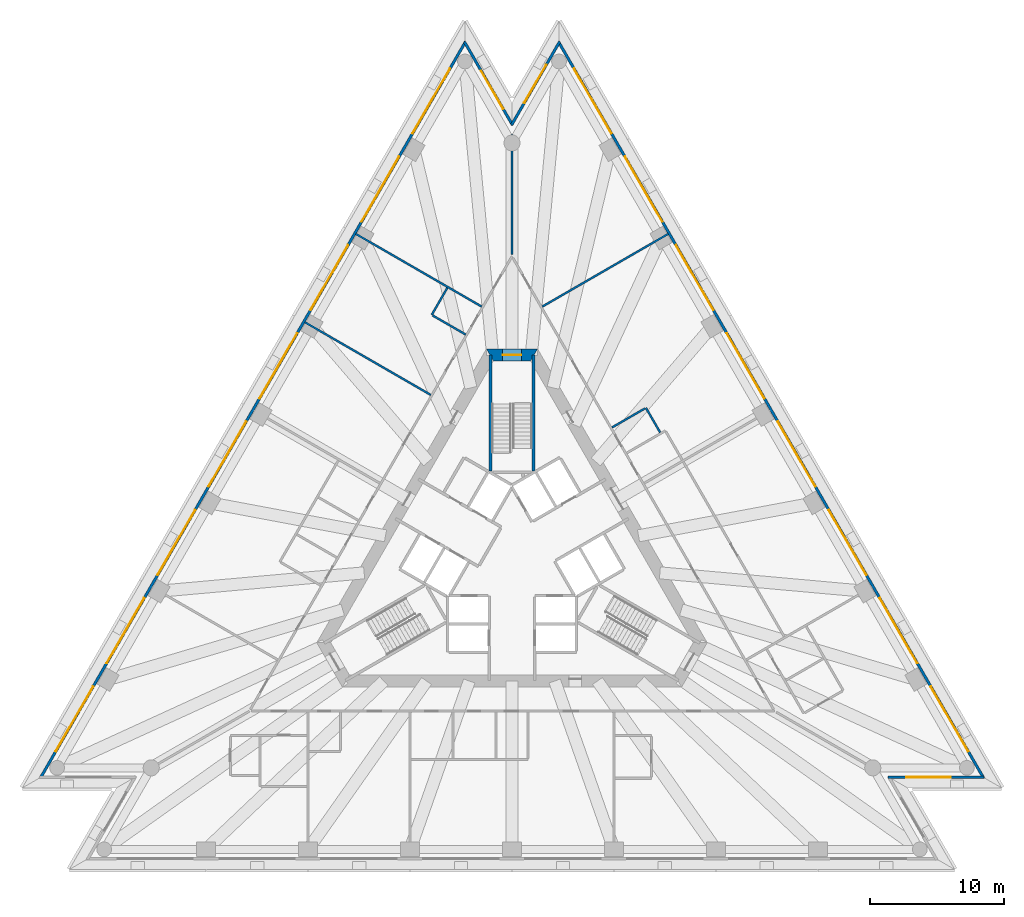
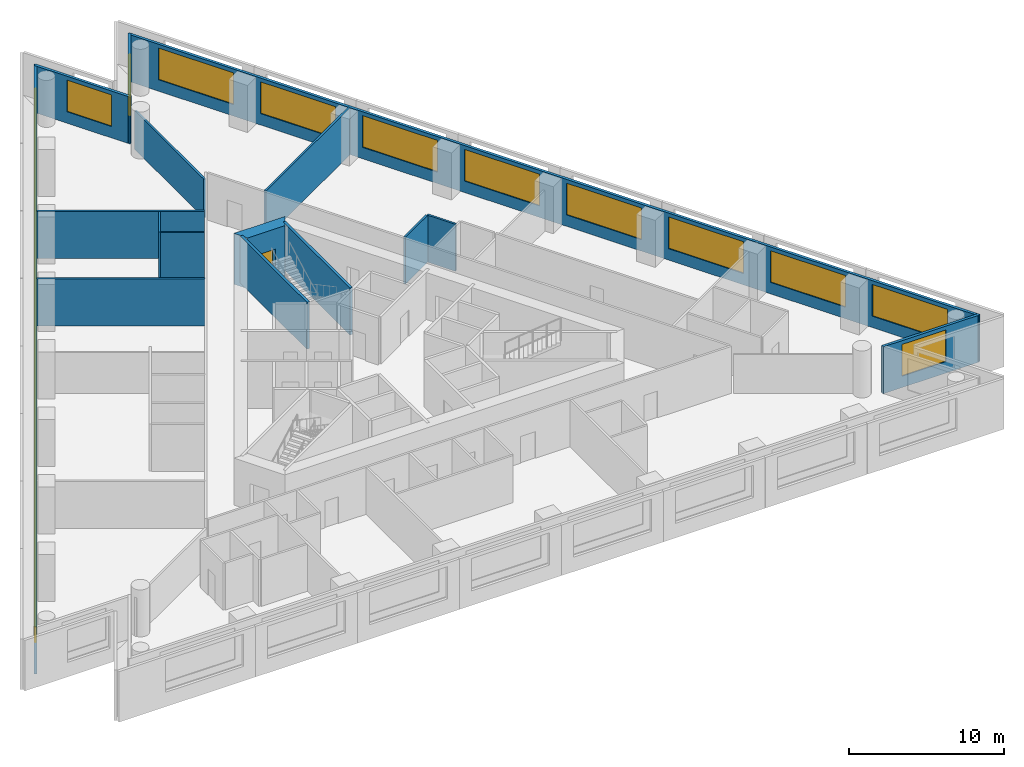
# One storey, part 8 of 11: 19 windows, 16 walls, 1 door, 20 openings.
"""IFC4 building model written with IfcOpenShell, lengths in metres."""

from ifc_helpers import new_model, si_unit, direction, frame, frame_2d, origin, place, context, subcontext, project, spatial, polyline, rectangle, outline, extrude, material, layer, layer_set, layer_usage, type_object, element, fill, save


model = new_model("IFC4")

# Units and contexts
model_context = context("Model", 3, precision=1e-05, world=origin(), true_north=direction((0.0, 1.0)))
body_context = subcontext(model_context, "Body", "Model", "MODEL_VIEW")
ifc_project = project(units=[si_unit("LENGTHUNIT", "METRE"), si_unit("AREAUNIT", "SQUARE_METRE"), si_unit("VOLUMEUNIT", "CUBIC_METRE"), si_unit("PLANEANGLEUNIT", "RADIAN"), si_unit("MASSUNIT", "GRAM", prefix="KILO")], contexts=[model_context])

# Site, building, storey
site_placement = place(None, origin())
site = spatial("IfcSite", under=ifc_project, at=site_placement, CompositionType="ELEMENT")
building_placement = place(site_placement, origin())
building = spatial("IfcBuilding", under=site, at=building_placement, Name="Triada Interchange Tower", CompositionType="ELEMENT")
storey_placement = place(building_placement, frame((0.0, 0.0, 35.300048828125)))
storey = spatial("IfcBuildingStorey", under=building, at=storey_placement, Name="L06", CompositionType="ELEMENT", Elevation=35.300048828125)

# Walls
ifc_material_1 = material(Name="Concrete C30/37", Category="concrete")
ifc_layer_1 = layer(ifc_material_1, 0.199951171875)
ifc_layer_set_1 = layer_set([ifc_layer_1], Name="CORE WALL 200 REI 240")
wall_type_1 = type_object("IfcWallType", Name="CORE WALL 200 REI 240", PredefinedType="SOLIDWALL", material=ifc_layer_set_1)
for number, where, z_axis, x_axis, name in (
    (1, (1.60009765625, 6.614990234375, 0.0), (0.0, 0.0, 1.0), (0.0, 1.0, 0.0), "Wall L06 87"),
    (2, (-1.60009765625, 6.614990234375, 0.0), (0.0, 0.0, 1.0), (0.0, 1.0, 0.0), "Wall L06 89"),
):
    element("IfcWall", number, at=place(storey_placement, frame(where, z_axis=z_axis, x_axis=x_axis)), inside=storey, type_object=wall_type_1, Name=name, PredefinedType="SOLIDWALL", context=body_context, shape_type="SweptSolid", body=[
        extrude(rectangle(XDim=8.614990234375, YDim=0.199951171875, at=frame_2d((4.3076171875, 0.0))), origin(), (0.0, 0.0, 1.0), 3.699951171875),
    ])

# Wall, opening, door
ifc_material_2 = material(Name="Concrete C70/85", Category="concrete")
ifc_layer_2 = layer(ifc_material_2, 0.89990234375)
ifc_layer_set_2 = layer_set([ifc_layer_2], Name="Core wall A 900")
wall_type_2 = type_object("IfcWallType", Name="Core wall A 900", PredefinedType="SHEAR", material=ifc_layer_set_2)
wall_1_placement = place(storey_placement, frame((1.64501953125, 15.25, -0.300048828125), z_axis=(0.0, 0.0, 1.0), x_axis=(-1.0, 0.0, 0.0)))
wall_1 = element("IfcWall", 3, at=wall_1_placement, inside=storey, type_object=wall_type_2, Name="Core wall WA01 L06", PredefinedType="SHEAR", context=body_context, shape_type="SweptSolid", body=[
    extrude(outline(polyline([(-0.260009765625, -0.449951171875), (1.64501953125, -0.449951171875), (3.550048828125, -0.449951171875), (3.031005859375, 0.449951171875), (1.64501953125, 0.449951171875), (0.259033203125, 0.449951171875), (-0.260009765625, -0.449951171875)])), origin(), (0.0, 0.0, 1.0), 4.0),
])
opening_1_placement = place(wall_1_placement, frame((0.945068359375, 0.0, 0.300048828125)))
opening_1 = element("IfcOpeningElement", 4, at=opening_1_placement, cuts=wall_1, Name="Opening D06-41", PredefinedType="OPENING", context=body_context, shape_type="SweptSolid", body=[
    extrude(rectangle(XDim=1.39990234375, YDim=2.10009765625, at=frame_2d((0.699951171875, 1.050048828125))), frame((0.0, 0.4599609375, 0.0), z_axis=(0.0, -1.0, 0.0), x_axis=(1.0, 0.0, 0.0)), (0.0, 0.0, 1.0), 0.919921875),
])
ifc_material_3 = material(Name="Steel S235 door leaf", Category="steel")
door_type = type_object("IfcDoorType", Name="STAIR DOOR 1400 EI2 90-C5S200", OperationType="DOUBLE_DOOR_SINGLE_SWING", PredefinedType="DOOR", material=ifc_material_3)
door_placement = place(opening_1_placement, origin())
door = element("IfcDoor", 5, at=door_placement, inside=storey, type_object=door_type, Name="Door D06-41 L06", OperationType="DOUBLE_DOOR_SINGLE_SWING", OverallHeight=2.10009765625, OverallWidth=1.39990234375, PredefinedType="DOOR", context=body_context, shape_type="SweptSolid", body=[
    extrude(rectangle(XDim=1.39990234375, YDim=2.10009765625, at=frame_2d((0.699951171875, 1.050048828125))), frame((0.0, 0.02490234375, 0.0), z_axis=(0.0, -1.0, 0.0), x_axis=(1.0, 0.0, 0.0)), (0.0, 0.0, 1.0), 0.050048828125),
])
fill(opening_1, door)

# Wall, openings, windows
ifc_material_4 = material(Name="Cement board")
ifc_layer_3 = layer(ifc_material_4, 0.02001953125, Name="Cement board cladding")
ifc_material_5 = material(Name="Sheathing board")
ifc_layer_4 = layer(ifc_material_5, 0.014892578125, Name="Sheathing board")
ifc_material_6 = material(Name="Mineral wool")
ifc_layer_5 = layer(ifc_material_6, 0.14990234375, Name="Mineral wool between steel studs")
ifc_material_7 = material(Name="Gypsum board")
ifc_layer_6 = layer(ifc_material_7, 0.014892578125, Name="Plasterboard lining")
ifc_layer_set_3 = layer_set([ifc_layer_3, ifc_layer_4, ifc_layer_5, ifc_layer_6], Name="External wall 200")
ifc_layer_usage = layer_usage(ifc_layer_set_3, "AXIS2", "POSITIVE", -0.10009765625)
wall_type_3 = type_object("IfcWallType", Name="External wall 200", PredefinedType="ELEMENTEDWALL", material=ifc_layer_set_3)
wall_2_placement = place(storey_placement, frame((-3.4619140625, 38.60302734375, 0.0), z_axis=(0.0, 0.0, 1.0), x_axis=(-0.500012207976, -0.866018355391, 0.0)))
wall_2 = element("IfcWall", 6, at=wall_2_placement, inside=storey, type_object=wall_type_3, material=ifc_layer_usage, Name="External wall L06 NW", PredefinedType="ELEMENTEDWALL", context=body_context, shape_type="SweptSolid", body=[
    extrude(rectangle(XDim=63.380859375, YDim=0.199951171875, at=frame_2d((31.6904296875, 0.0))), origin(), (0.0, 0.0, 1.0), 3.699951171875),
])
opening_2_placement = place(wall_2_placement, frame((2.302001953125, 0.0, 0.89990234375)))
opening_2 = element("IfcOpeningElement", 7, at=opening_2_placement, cuts=wall_2, Name="Opening WA01", PredefinedType="OPENING", context=body_context, shape_type="SweptSolid", body=[
    extrude(rectangle(XDim=5.60009765625, YDim=2.5, at=frame_2d((2.800048828125, 1.25))), frame((0.0, 0.10986328125, 0.0), z_axis=(0.0, -1.0, 0.0), x_axis=(1.0, 0.0, 0.0)), (0.0, 0.0, 1.0), 0.219970703125),
])
opening_3_placement = place(wall_2_placement, frame((9.902099609375, 0.0, 0.89990234375)))
opening_3 = element("IfcOpeningElement", 8, at=opening_3_placement, cuts=wall_2, Name="Opening WA02", PredefinedType="OPENING", context=body_context, shape_type="SweptSolid", body=[
    extrude(rectangle(XDim=5.60009765625, YDim=2.5, at=frame_2d((2.800048828125, 1.25))), frame((0.0, 0.10986328125, 0.0), z_axis=(0.0, -1.0, 0.0), x_axis=(1.0, 0.0, 0.0)), (0.0, 0.0, 1.0), 0.219970703125),
])
opening_4_placement = place(wall_2_placement, frame((17.5009765625, 0.0, 0.89990234375)))
opening_4 = element("IfcOpeningElement", 9, at=opening_4_placement, cuts=wall_2, Name="Opening WA03", PredefinedType="OPENING", context=body_context, shape_type="SweptSolid", body=[
    extrude(rectangle(XDim=5.60009765625, YDim=2.5, at=frame_2d((2.800048828125, 1.25))), frame((0.0, 0.10986328125, 0.0), z_axis=(0.0, -1.0, 0.0), x_axis=(1.0, 0.0, 0.0)), (0.0, 0.0, 1.0), 0.219970703125),
])
opening_5_placement = place(wall_2_placement, frame((25.10009765625, 0.0, 0.89990234375)))
opening_5 = element("IfcOpeningElement", 10, at=opening_5_placement, cuts=wall_2, Name="Opening WA04", PredefinedType="OPENING", context=body_context, shape_type="SweptSolid", body=[
    extrude(rectangle(XDim=5.60009765625, YDim=2.5, at=frame_2d((2.800048828125, 1.25))), frame((0.0, 0.10986328125, 0.0), z_axis=(0.0, -1.0, 0.0), x_axis=(1.0, 0.0, 0.0)), (0.0, 0.0, 1.0), 0.219970703125),
])
opening_6_placement = place(wall_2_placement, frame((32.699951171875, 0.0, 0.89990234375)))
opening_6 = element("IfcOpeningElement", 11, at=opening_6_placement, cuts=wall_2, Name="Opening WA05", PredefinedType="OPENING", context=body_context, shape_type="SweptSolid", body=[
    extrude(rectangle(XDim=5.60009765625, YDim=2.5, at=frame_2d((2.800048828125, 1.25))), frame((0.0, 0.10986328125, 0.0), z_axis=(0.0, -1.0, 0.0), x_axis=(1.0, 0.0, 0.0)), (0.0, 0.0, 1.0), 0.219970703125),
])
opening_7_placement = place(wall_2_placement, frame((40.299072265625, 0.0, 0.89990234375)))
opening_7 = element("IfcOpeningElement", 12, at=opening_7_placement, cuts=wall_2, Name="Opening WA06", PredefinedType="OPENING", context=body_context, shape_type="SweptSolid", body=[
    extrude(rectangle(XDim=5.60009765625, YDim=2.5, at=frame_2d((2.800048828125, 1.25))), frame((0.0, 0.10986328125, 0.0), z_axis=(0.0, -1.0, 0.0), x_axis=(1.0, 0.0, 0.0)), (0.0, 0.0, 1.0), 0.219970703125),
])
opening_8_placement = place(wall_2_placement, frame((47.89892578125, 0.0, 0.89990234375)))
opening_8 = element("IfcOpeningElement", 13, at=opening_8_placement, cuts=wall_2, Name="Opening WA07", PredefinedType="OPENING", context=body_context, shape_type="SweptSolid", body=[
    extrude(rectangle(XDim=5.60009765625, YDim=2.5, at=frame_2d((2.800048828125, 1.25))), frame((0.0, 0.10986328125, 0.0), z_axis=(0.0, -1.0, 0.0), x_axis=(1.0, 0.0, 0.0)), (0.0, 0.0, 1.0), 0.219970703125),
])
opening_9_placement = place(wall_2_placement, frame((55.498046875, 0.0, 0.89990234375)))
opening_9 = element("IfcOpeningElement", 14, at=opening_9_placement, cuts=wall_2, Name="Opening WA08", PredefinedType="OPENING", context=body_context, shape_type="SweptSolid", body=[
    extrude(rectangle(XDim=5.60009765625, YDim=2.5, at=frame_2d((2.800048828125, 1.25))), frame((0.0, 0.10986328125, 0.0), z_axis=(0.0, -1.0, 0.0), x_axis=(1.0, 0.0, 0.0)), (0.0, 0.0, 1.0), 0.219970703125),
])
ifc_material_8 = material(Name="Double glazed aluminium window", Category="aluminium")
window_type_1 = type_object("IfcWindowType", Name="Ribbon window A face", PartitioningType="SINGLE_PANEL", PredefinedType="WINDOW", material=ifc_material_8)
window_1_placement = place(opening_2_placement, origin())
window_1 = element("IfcWindow", 15, at=window_1_placement, inside=storey, type_object=window_type_1, Name="Window L06 NW 1", OverallHeight=2.5, OverallWidth=5.60009765625, PartitioningType="SINGLE_PANEL", PredefinedType="WINDOW", context=body_context, shape_type="SweptSolid", body=[
    extrude(rectangle(XDim=5.60009765625, YDim=2.5, at=frame_2d((2.800048828125, 1.25))), frame((0.0, 0.030029296875, 0.0), z_axis=(0.0, -1.0, 0.0), x_axis=(1.0, 0.0, 0.0)), (0.0, 0.0, 1.0), 0.06005859375),
])
fill(opening_2, window_1)
window_2_placement = place(opening_3_placement, origin())
window_2 = element("IfcWindow", 16, at=window_2_placement, inside=storey, type_object=window_type_1, Name="Window L06 NW 2", OverallHeight=2.5, OverallWidth=5.60009765625, PartitioningType="SINGLE_PANEL", PredefinedType="WINDOW", context=body_context, shape_type="SweptSolid", body=[
    extrude(rectangle(XDim=5.60009765625, YDim=2.5, at=frame_2d((2.800048828125, 1.25))), frame((0.0, 0.030029296875, 0.0), z_axis=(0.0, -1.0, 0.0), x_axis=(1.0, 0.0, 0.0)), (0.0, 0.0, 1.0), 0.06005859375),
])
fill(opening_3, window_2)
window_3_placement = place(opening_4_placement, origin())
window_3 = element("IfcWindow", 17, at=window_3_placement, inside=storey, type_object=window_type_1, Name="Window L06 NW 3", OverallHeight=2.5, OverallWidth=5.60009765625, PartitioningType="SINGLE_PANEL", PredefinedType="WINDOW", context=body_context, shape_type="SweptSolid", body=[
    extrude(rectangle(XDim=5.60009765625, YDim=2.5, at=frame_2d((2.800048828125, 1.25))), frame((0.0, 0.030029296875, 0.0), z_axis=(0.0, -1.0, 0.0), x_axis=(1.0, 0.0, 0.0)), (0.0, 0.0, 1.0), 0.06005859375),
])
fill(opening_4, window_3)
window_4_placement = place(opening_5_placement, origin())
window_4 = element("IfcWindow", 18, at=window_4_placement, inside=storey, type_object=window_type_1, Name="Window L06 NW 4", OverallHeight=2.5, OverallWidth=5.60009765625, PartitioningType="SINGLE_PANEL", PredefinedType="WINDOW", context=body_context, shape_type="SweptSolid", body=[
    extrude(rectangle(XDim=5.60009765625, YDim=2.5, at=frame_2d((2.800048828125, 1.25))), frame((0.0, 0.030029296875, 0.0), z_axis=(0.0, -1.0, 0.0), x_axis=(1.0, 0.0, 0.0)), (0.0, 0.0, 1.0), 0.06005859375),
])
fill(opening_5, window_4)
window_5_placement = place(opening_6_placement, origin())
window_5 = element("IfcWindow", 19, at=window_5_placement, inside=storey, type_object=window_type_1, Name="Window L06 NW 5", OverallHeight=2.5, OverallWidth=5.60009765625, PartitioningType="SINGLE_PANEL", PredefinedType="WINDOW", context=body_context, shape_type="SweptSolid", body=[
    extrude(rectangle(XDim=5.60009765625, YDim=2.5, at=frame_2d((2.800048828125, 1.25))), frame((0.0, 0.030029296875, 0.0), z_axis=(0.0, -1.0, 0.0), x_axis=(1.0, 0.0, 0.0)), (0.0, 0.0, 1.0), 0.06005859375),
])
fill(opening_6, window_5)
window_6_placement = place(opening_7_placement, origin())
window_6 = element("IfcWindow", 20, at=window_6_placement, inside=storey, type_object=window_type_1, Name="Window L06 NW 6", OverallHeight=2.5, OverallWidth=5.60009765625, PartitioningType="SINGLE_PANEL", PredefinedType="WINDOW", context=body_context, shape_type="SweptSolid", body=[
    extrude(rectangle(XDim=5.60009765625, YDim=2.5, at=frame_2d((2.800048828125, 1.25))), frame((0.0, 0.030029296875, 0.0), z_axis=(0.0, -1.0, 0.0), x_axis=(1.0, 0.0, 0.0)), (0.0, 0.0, 1.0), 0.06005859375),
])
fill(opening_7, window_6)
window_7_placement = place(opening_8_placement, origin())
window_7 = element("IfcWindow", 21, at=window_7_placement, inside=storey, type_object=window_type_1, Name="Window L06 NW 7", OverallHeight=2.5, OverallWidth=5.60009765625, PartitioningType="SINGLE_PANEL", PredefinedType="WINDOW", context=body_context, shape_type="SweptSolid", body=[
    extrude(rectangle(XDim=5.60009765625, YDim=2.5, at=frame_2d((2.800048828125, 1.25))), frame((0.0, 0.030029296875, 0.0), z_axis=(0.0, -1.0, 0.0), x_axis=(1.0, 0.0, 0.0)), (0.0, 0.0, 1.0), 0.06005859375),
])
fill(opening_8, window_7)
window_8_placement = place(opening_9_placement, origin())
window_8 = element("IfcWindow", 22, at=window_8_placement, inside=storey, type_object=window_type_1, Name="Window L06 NW 8", OverallHeight=2.5, OverallWidth=5.60009765625, PartitioningType="SINGLE_PANEL", PredefinedType="WINDOW", context=body_context, shape_type="SweptSolid", body=[
    extrude(rectangle(XDim=5.60009765625, YDim=2.5, at=frame_2d((2.800048828125, 1.25))), frame((0.0, 0.030029296875, 0.0), z_axis=(0.0, -1.0, 0.0), x_axis=(1.0, 0.0, 0.0)), (0.0, 0.0, 1.0), 0.06005859375),
])
fill(opening_9, window_8)

# Wall, opening, window
wall_3_placement = place(storey_placement, frame((28.012939453125, -16.22509765625, 0.0), z_axis=(0.0, 0.0, 1.0), x_axis=(1.0, 0.0, 0.0)))
wall_3 = element("IfcWall", 23, at=wall_3_placement, inside=storey, type_object=wall_type_3, material=ifc_layer_usage, Name="External wall L06 SE-2", PredefinedType="ELEMENTEDWALL", context=body_context, shape_type="SweptSolid", body=[
    extrude(rectangle(XDim=7.175048828125, YDim=0.199951171875, at=frame_2d((3.58740234375, 0.0))), origin(), (0.0, 0.0, 1.0), 3.699951171875),
])
opening_10_placement = place(wall_3_placement, frame((1.389892578125, 0.0, 0.89990234375)))
opening_10 = element("IfcOpeningElement", 24, at=opening_10_placement, cuts=wall_3, Name="Opening WA20", PredefinedType="OPENING", context=body_context, shape_type="SweptSolid", body=[
    extrude(rectangle(XDim=3.300048828125, YDim=2.5, at=frame_2d((1.64990234375, 1.25))), frame((0.0, 0.10986328125, 0.0), z_axis=(0.0, -1.0, 0.0), x_axis=(1.0, 0.0, 0.0)), (0.0, 0.0, 1.0), 0.219970703125),
])
window_type_2 = type_object("IfcWindowType", Name="Ribbon window A pocket", PartitioningType="SINGLE_PANEL", PredefinedType="WINDOW", material=ifc_material_8)
window_9_placement = place(opening_10_placement, origin())
window_9 = element("IfcWindow", 25, at=window_9_placement, inside=storey, type_object=window_type_2, Name="Window L06 SE-2 1", OverallHeight=2.5, OverallWidth=3.300048828125, PartitioningType="SINGLE_PANEL", PredefinedType="WINDOW", context=body_context, shape_type="SweptSolid", body=[
    extrude(rectangle(XDim=3.300048828125, YDim=2.5, at=frame_2d((1.64990234375, 1.25))), frame((0.0, 0.030029296875, 0.0), z_axis=(0.0, -1.0, 0.0), x_axis=(1.0, 0.0, 0.0)), (0.0, 0.0, 1.0), 0.06005859375),
])
fill(opening_10, window_9)

# Wall, openings, windows
wall_4_placement = place(storey_placement, frame((35.1630859375, -16.302978515625, 0.0), z_axis=(0.0, 0.0, 1.0), x_axis=(-0.500012207976, 0.866018355391, 0.0)))
wall_4 = element("IfcWall", 26, at=wall_4_placement, inside=storey, type_object=wall_type_3, material=ifc_layer_usage, Name="External wall L06 NE", PredefinedType="ELEMENTEDWALL", context=body_context, shape_type="SweptSolid", body=[
    extrude(rectangle(XDim=63.380859375, YDim=0.199951171875, at=frame_2d((31.6904296875, 0.0))), origin(), (0.0, 0.0, 1.0), 3.699951171875),
])
opening_11_placement = place(wall_4_placement, frame((2.302001953125, 0.0, 0.89990234375)))
opening_11 = element("IfcOpeningElement", 27, at=opening_11_placement, cuts=wall_4, Name="Opening WA21", PredefinedType="OPENING", context=body_context, shape_type="SweptSolid", body=[
    extrude(rectangle(XDim=5.60009765625, YDim=2.5, at=frame_2d((2.800048828125, 1.25))), frame((0.0, 0.10986328125, 0.0), z_axis=(0.0, -1.0, 0.0), x_axis=(1.0, 0.0, 0.0)), (0.0, 0.0, 1.0), 0.219970703125),
])
opening_12_placement = place(wall_4_placement, frame((9.902099609375, 0.0, 0.89990234375)))
opening_12 = element("IfcOpeningElement", 28, at=opening_12_placement, cuts=wall_4, Name="Opening WA22", PredefinedType="OPENING", context=body_context, shape_type="SweptSolid", body=[
    extrude(rectangle(XDim=5.60009765625, YDim=2.5, at=frame_2d((2.800048828125, 1.25))), frame((0.0, 0.10986328125, 0.0), z_axis=(0.0, -1.0, 0.0), x_axis=(1.0, 0.0, 0.0)), (0.0, 0.0, 1.0), 0.219970703125),
])
opening_13_placement = place(wall_4_placement, frame((17.5009765625, 0.0, 0.89990234375)))
opening_13 = element("IfcOpeningElement", 29, at=opening_13_placement, cuts=wall_4, Name="Opening WA23", PredefinedType="OPENING", context=body_context, shape_type="SweptSolid", body=[
    extrude(rectangle(XDim=5.60009765625, YDim=2.5, at=frame_2d((2.800048828125, 1.25))), frame((0.0, 0.10986328125, 0.0), z_axis=(0.0, -1.0, 0.0), x_axis=(1.0, 0.0, 0.0)), (0.0, 0.0, 1.0), 0.219970703125),
])
opening_14_placement = place(wall_4_placement, frame((25.10107421875, 0.0, 0.89990234375)))
opening_14 = element("IfcOpeningElement", 30, at=opening_14_placement, cuts=wall_4, Name="Opening WA24", PredefinedType="OPENING", context=body_context, shape_type="SweptSolid", body=[
    extrude(rectangle(XDim=5.60009765625, YDim=2.5, at=frame_2d((2.800048828125, 1.25))), frame((0.0, 0.10986328125, 0.0), z_axis=(0.0, -1.0, 0.0), x_axis=(1.0, 0.0, 0.0)), (0.0, 0.0, 1.0), 0.219970703125),
])
opening_15_placement = place(wall_4_placement, frame((32.699951171875, 0.0, 0.89990234375)))
opening_15 = element("IfcOpeningElement", 31, at=opening_15_placement, cuts=wall_4, Name="Opening WA25", PredefinedType="OPENING", context=body_context, shape_type="SweptSolid", body=[
    extrude(rectangle(XDim=5.60009765625, YDim=2.5, at=frame_2d((2.800048828125, 1.25))), frame((0.0, 0.10986328125, 0.0), z_axis=(0.0, -1.0, 0.0), x_axis=(1.0, 0.0, 0.0)), (0.0, 0.0, 1.0), 0.219970703125),
])
opening_16_placement = place(wall_4_placement, frame((40.299072265625, 0.0, 0.89990234375)))
opening_16 = element("IfcOpeningElement", 32, at=opening_16_placement, cuts=wall_4, Name="Opening WA26", PredefinedType="OPENING", context=body_context, shape_type="SweptSolid", body=[
    extrude(rectangle(XDim=5.60009765625, YDim=2.5, at=frame_2d((2.800048828125, 1.25))), frame((0.0, 0.10986328125, 0.0), z_axis=(0.0, -1.0, 0.0), x_axis=(1.0, 0.0, 0.0)), (0.0, 0.0, 1.0), 0.219970703125),
])
opening_17_placement = place(wall_4_placement, frame((47.89892578125, 0.0, 0.89990234375)))
opening_17 = element("IfcOpeningElement", 33, at=opening_17_placement, cuts=wall_4, Name="Opening WA27", PredefinedType="OPENING", context=body_context, shape_type="SweptSolid", body=[
    extrude(rectangle(XDim=5.60009765625, YDim=2.5, at=frame_2d((2.800048828125, 1.25))), frame((0.0, 0.10986328125, 0.0), z_axis=(0.0, -1.0, 0.0), x_axis=(1.0, 0.0, 0.0)), (0.0, 0.0, 1.0), 0.219970703125),
])
opening_18_placement = place(wall_4_placement, frame((55.498046875, 0.0, 0.89990234375)))
opening_18 = element("IfcOpeningElement", 34, at=opening_18_placement, cuts=wall_4, Name="Opening WA28", PredefinedType="OPENING", context=body_context, shape_type="SweptSolid", body=[
    extrude(rectangle(XDim=5.60009765625, YDim=2.5, at=frame_2d((2.800048828125, 1.25))), frame((0.0, 0.10986328125, 0.0), z_axis=(0.0, -1.0, 0.0), x_axis=(1.0, 0.0, 0.0)), (0.0, 0.0, 1.0), 0.219970703125),
])
window_10_placement = place(opening_11_placement, origin())
window_10 = element("IfcWindow", 35, at=window_10_placement, inside=storey, type_object=window_type_1, Name="Window L06 NE 1", OverallHeight=2.5, OverallWidth=5.60009765625, PartitioningType="SINGLE_PANEL", PredefinedType="WINDOW", context=body_context, shape_type="SweptSolid", body=[
    extrude(rectangle(XDim=5.60009765625, YDim=2.5, at=frame_2d((2.800048828125, 1.25))), frame((0.0, 0.030029296875, 0.0), z_axis=(0.0, -1.0, 0.0), x_axis=(1.0, 0.0, 0.0)), (0.0, 0.0, 1.0), 0.06005859375),
])
fill(opening_11, window_10)
window_11_placement = place(opening_12_placement, origin())
window_11 = element("IfcWindow", 36, at=window_11_placement, inside=storey, type_object=window_type_1, Name="Window L06 NE 2", OverallHeight=2.5, OverallWidth=5.60009765625, PartitioningType="SINGLE_PANEL", PredefinedType="WINDOW", context=body_context, shape_type="SweptSolid", body=[
    extrude(rectangle(XDim=5.60009765625, YDim=2.5, at=frame_2d((2.800048828125, 1.25))), frame((0.0, 0.030029296875, 0.0), z_axis=(0.0, -1.0, 0.0), x_axis=(1.0, 0.0, 0.0)), (0.0, 0.0, 1.0), 0.06005859375),
])
fill(opening_12, window_11)
window_12_placement = place(opening_13_placement, origin())
window_12 = element("IfcWindow", 37, at=window_12_placement, inside=storey, type_object=window_type_1, Name="Window L06 NE 3", OverallHeight=2.5, OverallWidth=5.60009765625, PartitioningType="SINGLE_PANEL", PredefinedType="WINDOW", context=body_context, shape_type="SweptSolid", body=[
    extrude(rectangle(XDim=5.60009765625, YDim=2.5, at=frame_2d((2.800048828125, 1.25))), frame((0.0, 0.030029296875, 0.0), z_axis=(0.0, -1.0, 0.0), x_axis=(1.0, 0.0, 0.0)), (0.0, 0.0, 1.0), 0.06005859375),
])
fill(opening_13, window_12)
window_13_placement = place(opening_14_placement, origin())
window_13 = element("IfcWindow", 38, at=window_13_placement, inside=storey, type_object=window_type_1, Name="Window L06 NE 4", OverallHeight=2.5, OverallWidth=5.60009765625, PartitioningType="SINGLE_PANEL", PredefinedType="WINDOW", context=body_context, shape_type="SweptSolid", body=[
    extrude(rectangle(XDim=5.60009765625, YDim=2.5, at=frame_2d((2.800048828125, 1.25))), frame((0.0, 0.030029296875, 0.0), z_axis=(0.0, -1.0, 0.0), x_axis=(1.0, 0.0, 0.0)), (0.0, 0.0, 1.0), 0.06005859375),
])
fill(opening_14, window_13)
window_14_placement = place(opening_15_placement, origin())
window_14 = element("IfcWindow", 39, at=window_14_placement, inside=storey, type_object=window_type_1, Name="Window L06 NE 5", OverallHeight=2.5, OverallWidth=5.60009765625, PartitioningType="SINGLE_PANEL", PredefinedType="WINDOW", context=body_context, shape_type="SweptSolid", body=[
    extrude(rectangle(XDim=5.60009765625, YDim=2.5, at=frame_2d((2.800048828125, 1.25))), frame((0.0, 0.030029296875, 0.0), z_axis=(0.0, -1.0, 0.0), x_axis=(1.0, 0.0, 0.0)), (0.0, 0.0, 1.0), 0.06005859375),
])
fill(opening_15, window_14)
window_15_placement = place(opening_16_placement, origin())
window_15 = element("IfcWindow", 40, at=window_15_placement, inside=storey, type_object=window_type_1, Name="Window L06 NE 6", OverallHeight=2.5, OverallWidth=5.60009765625, PartitioningType="SINGLE_PANEL", PredefinedType="WINDOW", context=body_context, shape_type="SweptSolid", body=[
    extrude(rectangle(XDim=5.60009765625, YDim=2.5, at=frame_2d((2.800048828125, 1.25))), frame((0.0, 0.030029296875, 0.0), z_axis=(0.0, -1.0, 0.0), x_axis=(1.0, 0.0, 0.0)), (0.0, 0.0, 1.0), 0.06005859375),
])
fill(opening_16, window_15)
window_16_placement = place(opening_17_placement, origin())
window_16 = element("IfcWindow", 41, at=window_16_placement, inside=storey, type_object=window_type_1, Name="Window L06 NE 7", OverallHeight=2.5, OverallWidth=5.60009765625, PartitioningType="SINGLE_PANEL", PredefinedType="WINDOW", context=body_context, shape_type="SweptSolid", body=[
    extrude(rectangle(XDim=5.60009765625, YDim=2.5, at=frame_2d((2.800048828125, 1.25))), frame((0.0, 0.030029296875, 0.0), z_axis=(0.0, -1.0, 0.0), x_axis=(1.0, 0.0, 0.0)), (0.0, 0.0, 1.0), 0.06005859375),
])
fill(opening_17, window_16)
window_17_placement = place(opening_18_placement, origin())
window_17 = element("IfcWindow", 42, at=window_17_placement, inside=storey, type_object=window_type_1, Name="Window L06 NE 8", OverallHeight=2.5, OverallWidth=5.60009765625, PartitioningType="SINGLE_PANEL", PredefinedType="WINDOW", context=body_context, shape_type="SweptSolid", body=[
    extrude(rectangle(XDim=5.60009765625, YDim=2.5, at=frame_2d((2.800048828125, 1.25))), frame((0.0, 0.030029296875, 0.0), z_axis=(0.0, -1.0, 0.0), x_axis=(1.0, 0.0, 0.0)), (0.0, 0.0, 1.0), 0.06005859375),
])
fill(opening_18, window_17)

# Wall, opening, window
wall_5_placement = place(storey_placement, frame((3.552001953125, 38.60302734375, 0.0), z_axis=(0.0, 0.0, 1.0), x_axis=(-0.499915874128, -0.866073968431, 0.0)))
wall_5 = element("IfcWall", 43, at=wall_5_placement, inside=storey, type_object=wall_type_3, material=ifc_layer_usage, Name="External wall L06 N-1", PredefinedType="ELEMENTEDWALL", context=body_context, shape_type="SweptSolid", body=[
    extrude(rectangle(XDim=7.175048828125, YDim=0.199951171875, at=frame_2d((3.58740234375, 0.0))), origin(), (0.0, 0.0, 1.0), 3.699951171875),
])
opening_19_placement = place(wall_5_placement, frame((1.989990234375, 0.0, 0.89990234375)))
opening_19 = element("IfcOpeningElement", 44, at=opening_19_placement, cuts=wall_5, Name="Opening WA29", PredefinedType="OPENING", context=body_context, shape_type="SweptSolid", body=[
    extrude(rectangle(XDim=3.300048828125, YDim=2.5, at=frame_2d((1.64990234375, 1.25))), frame((0.0, 0.10986328125, 0.0), z_axis=(0.0, -1.0, 0.0), x_axis=(1.0, 0.0, 0.0)), (0.0, 0.0, 1.0), 0.219970703125),
])
window_18_placement = place(opening_19_placement, origin())
window_18 = element("IfcWindow", 45, at=window_18_placement, inside=storey, type_object=window_type_2, Name="Window L06 N-1 1", OverallHeight=2.5, OverallWidth=3.300048828125, PartitioningType="SINGLE_PANEL", PredefinedType="WINDOW", context=body_context, shape_type="SweptSolid", body=[
    extrude(rectangle(XDim=3.300048828125, YDim=2.5, at=frame_2d((1.64990234375, 1.25))), frame((0.0, 0.030029296875, 0.0), z_axis=(0.0, -1.0, 0.0), x_axis=(1.0, 0.0, 0.0)), (0.0, 0.0, 1.0), 0.06005859375),
])
fill(opening_19, window_18)

wall_6_placement = place(storey_placement, frame((0.044921875, 32.3720703125, 0.0), z_axis=(0.0, 0.0, 1.0), x_axis=(-0.499930606701, 0.866065464318, 0.0)))
wall_6 = element("IfcWall", 46, at=wall_6_placement, inside=storey, type_object=wall_type_3, material=ifc_layer_usage, Name="External wall L06 N-2", PredefinedType="ELEMENTEDWALL", context=body_context, shape_type="SweptSolid", body=[
    extrude(rectangle(XDim=7.1748046875, YDim=0.199951171875, at=frame_2d((3.58740234375, 0.0))), origin(), (0.0, 0.0, 1.0), 3.699951171875),
])
opening_20_placement = place(wall_6_placement, frame((1.389892578125, 0.0, 0.89990234375)))
opening_20 = element("IfcOpeningElement", 47, at=opening_20_placement, cuts=wall_6, Name="Opening WA30", PredefinedType="OPENING", context=body_context, shape_type="SweptSolid", body=[
    extrude(rectangle(XDim=3.300048828125, YDim=2.5, at=frame_2d((1.64990234375, 1.25))), frame((0.0, 0.10986328125, 0.0), z_axis=(0.0, -1.0, 0.0), x_axis=(1.0, 0.0, 0.0)), (0.0, 0.0, 1.0), 0.219970703125),
])
window_19_placement = place(opening_20_placement, origin())
window_19 = element("IfcWindow", 48, at=window_19_placement, inside=storey, type_object=window_type_2, Name="Window L06 N-2 1", OverallHeight=2.5, OverallWidth=3.300048828125, PartitioningType="SINGLE_PANEL", PredefinedType="WINDOW", context=body_context, shape_type="SweptSolid", body=[
    extrude(rectangle(XDim=3.300048828125, YDim=2.5, at=frame_2d((1.64990234375, 1.25))), frame((0.0, 0.030029296875, 0.0), z_axis=(0.0, -1.0, 0.0), x_axis=(1.0, 0.0, 0.0)), (0.0, 0.0, 1.0), 0.06005859375),
])
fill(opening_20, window_19)

# Walls
ifc_material_9 = material(Name="Gypsum board partition")
ifc_layer_7 = layer(ifc_material_9, 0.14990234375)
ifc_layer_set_4 = layer_set([ifc_layer_7], Name="PARTITION 150 EI 180")
wall_type_4 = type_object("IfcWallType", Name="PARTITION 150 EI 180", PredefinedType="PARTITIONING", material=ifc_layer_set_4)
wall_7_placement = place(storey_placement, frame((-15.443115234375, 17.69091796875, 0.0), z_axis=(0.0, 0.0, 1.0), x_axis=(0.866051380023, -0.499955005135, 0.0)))
element("IfcWall", 49, at=wall_7_placement, inside=storey, type_object=wall_type_4, Name="Wall L06 11", PredefinedType="PARTITIONING", context=body_context, shape_type="SweptSolid", body=[
    extrude(rectangle(XDim=10.8447265625, YDim=0.14990234375, at=frame_2d((5.42236328125, 0.0))), origin(), (0.0, 0.0, 1.0), 3.699951171875),
])
wall_8_placement = place(storey_placement, frame((-11.64306640625, 24.27197265625, 0.0), z_axis=(0.0, 0.0, 1.0), x_axis=(0.866028869058, -0.499993997921, 0.0)))
element("IfcWall", 50, at=wall_8_placement, inside=storey, type_object=wall_type_4, Name="Wall L06 16", PredefinedType="PARTITIONING", context=body_context, shape_type="SweptSolid", body=[
    extrude(rectangle(XDim=10.843994140625, YDim=0.14990234375, at=frame_2d((5.421875, 0.0))), origin(), (0.0, 0.0, 1.0), 3.699951171875),
])
wall_9_placement = place(storey_placement, frame((-5.985107421875, 18.23388671875, 0.0), z_axis=(0.0, 0.0, 1.0), x_axis=(0.500067724834, 0.865986299303, 0.0)))
element("IfcWall", 51, at=wall_9_placement, inside=storey, type_object=wall_type_4, Name="Wall L06 19", PredefinedType="PARTITIONING", context=body_context, shape_type="SweptSolid", body=[
    extrude(rectangle(XDim=2.325927734375, YDim=0.14990234375, at=frame_2d((1.1630859375, 0.0))), origin(), (0.0, 0.0, 1.0), 3.699951171875),
])
wall_10_placement = place(storey_placement, frame((-5.919921875, 18.196044921875, 0.0), z_axis=(0.0, 0.0, 1.0), x_axis=(0.866004402611, -0.500036373335, 0.0)))
element("IfcWall", 52, at=wall_10_placement, inside=storey, type_object=wall_type_4, Name="Wall L06 20", PredefinedType="PARTITIONING", context=body_context, shape_type="SweptSolid", body=[
    extrude(rectangle(XDim=2.849853515625, YDim=0.14990234375, at=frame_2d((1.4248046875, 0.0))), origin(), (0.0, 0.0, 1.0), 3.699951171875),
])
wall_11_placement = place(storey_placement, frame((0.0, 22.75, 0.0), z_axis=(0.0, 0.0, 1.0), x_axis=(0.0, 1.0, 0.0)))
element("IfcWall", 53, at=wall_11_placement, inside=storey, type_object=wall_type_4, Name="Wall L06 24", PredefinedType="PARTITIONING", context=body_context, shape_type="SweptSolid", body=[
    extrude(rectangle(XDim=8.919921875, YDim=0.14990234375, at=frame_2d((4.4599609375, 0.0))), origin(), (0.0, 0.0, 1.0), 3.050048828125),
])
wall_12_placement = place(storey_placement, frame((2.251953125, 18.85009765625, 0.0), z_axis=(0.0, 0.0, 1.0), x_axis=(0.866028869058, 0.499993997921, 0.0)))
element("IfcWall", 54, at=wall_12_placement, inside=storey, type_object=wall_type_4, Name="Wall L06 26", PredefinedType="PARTITIONING", context=body_context, shape_type="SweptSolid", body=[
    extrude(rectangle(XDim=10.843994140625, YDim=0.14990234375, at=frame_2d((5.421875, 0.0))), origin(), (0.0, 0.0, 1.0), 3.699951171875),
])
wall_13_placement = place(storey_placement, frame((9.98388671875, 11.306884765625, 0.0), z_axis=(0.0, 0.0, 1.0), x_axis=(0.500352247806, -0.86582193788, 0.0)))
element("IfcWall", 55, at=wall_13_placement, inside=storey, type_object=wall_type_4, Name="Wall L06 27", PredefinedType="PARTITIONING", context=body_context, shape_type="SweptSolid", body=[
    extrude(rectangle(XDim=2.125, YDim=0.14990234375, at=frame_2d((1.0625, 0.0))), origin(), (0.0, 0.0, 1.0), 3.699951171875),
])
wall_14_placement = place(storey_placement, frame((7.450927734375, 9.843994140625, 0.0), z_axis=(0.0, 0.0, 1.0), x_axis=(0.866004402611, 0.500036373335, 0.0)))
element("IfcWall", 56, at=wall_14_placement, inside=storey, type_object=wall_type_4, Name="Wall L06 28", PredefinedType="PARTITIONING", context=body_context, shape_type="SweptSolid", body=[
    extrude(rectangle(XDim=2.849853515625, YDim=0.14990234375, at=frame_2d((1.4248046875, 0.0))), origin(), (0.0, 0.0, 1.0), 3.699951171875),
])

save(model, "model.ifc")
